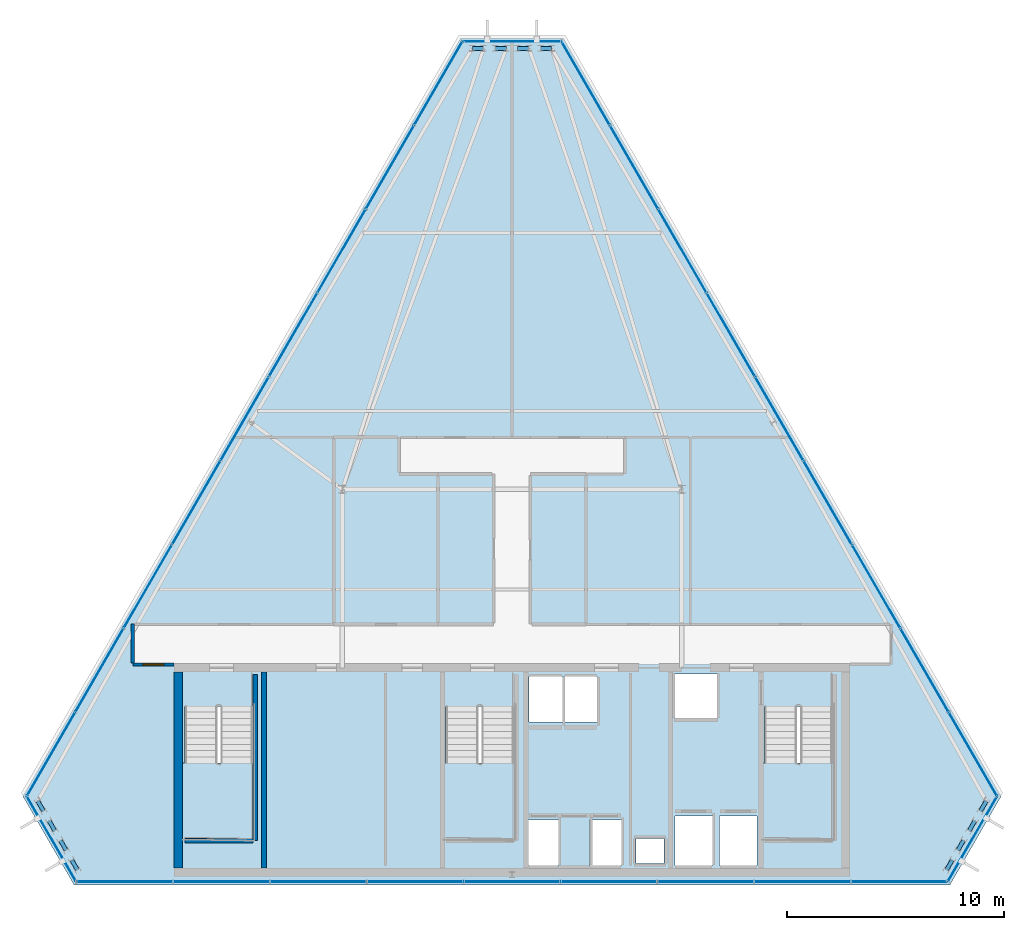
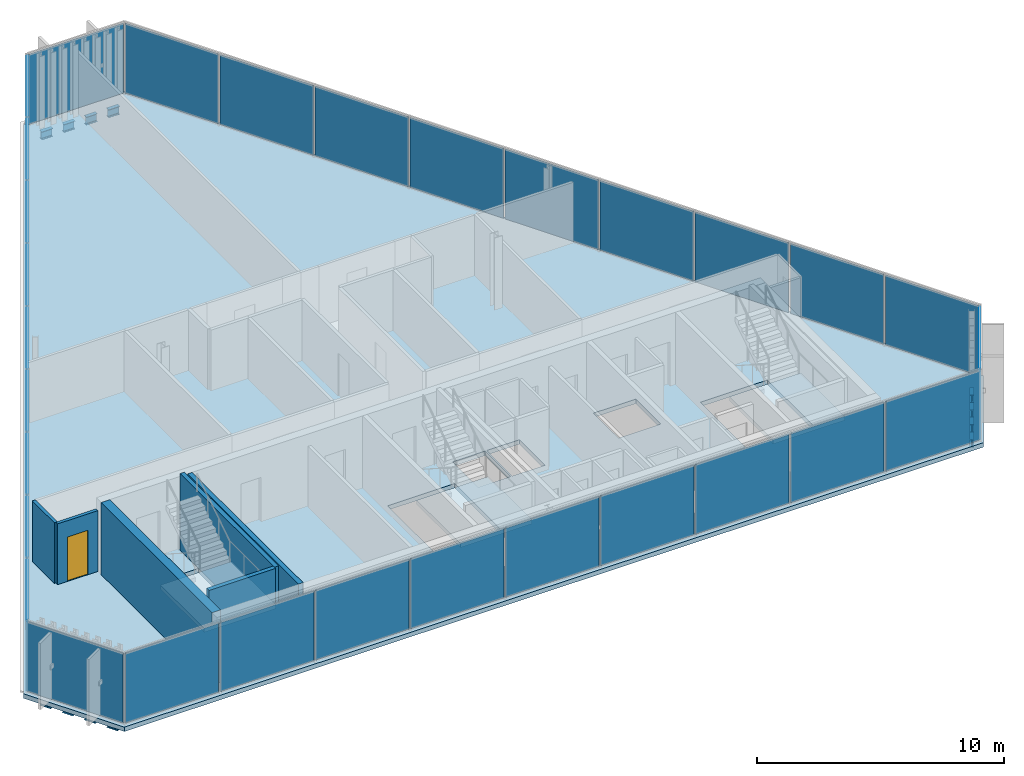
# One storey, part 26 of 32: 30 plates, 12 beams, 6 walls, 4 slabs, 1 door, 1 opening, 9 elements without a shape of their own.
"""IFC4 building model written with IfcOpenShell, lengths in metres."""

from ifc_helpers import new_model, si_unit, direction, frame, frame_2d, origin, origin_2d, place, context, subcontext, project, spatial, polyline, rectangle, i_section, outline, extrude, material, layer, layer_set, material_profile, profile_set, type_object, element, fill, aggregate, save


model = new_model("IFC4")

# Units and contexts
model_context = context("Model", 3, precision=1e-05, world=origin(), true_north=direction((0.0, 1.0)))
body_context = subcontext(model_context, "Body", "Model", "MODEL_VIEW")
ifc_project = project(units=[si_unit("LENGTHUNIT", "METRE"), si_unit("AREAUNIT", "SQUARE_METRE"), si_unit("VOLUMEUNIT", "CUBIC_METRE"), si_unit("PLANEANGLEUNIT", "RADIAN"), si_unit("MASSUNIT", "GRAM", prefix="KILO")], contexts=[model_context])

# Site, building, storey
site_placement = place(None, origin())
site = spatial("IfcSite", under=ifc_project, at=site_placement, CompositionType="ELEMENT")
building_placement = place(site_placement, origin())
building = spatial("IfcBuilding", under=site, at=building_placement, Name="Ndaravel Arena Tower", CompositionType="ELEMENT")
storey_placement = place(building_placement, frame((0.0, 0.0, 283.300048828125)))
storey = spatial("IfcBuildingStorey", under=building, at=storey_placement, Name="L69", CompositionType="ELEMENT", Elevation=283.300048828125)

# Beams
ifc_material_1 = material(Name="Steel S355", Category="steel")
ifc_material_profile = material_profile(ifc_material_1, i_section(OverallWidth=0.179931640625, OverallDepth=0.39990234375, WebThickness=0.008544921875, FlangeThickness=0.013427734375, FilletRadius=0.02099609375, at=origin_2d()), Name="IPE 400")
ifc_profile_set = profile_set([ifc_material_profile], Name="Steel S355")
beam_type = type_object("IfcBeamType", Name="BM-SPAN-IPE400", PredefinedType="SPANDREL", material=ifc_profile_set)
beam_1_placement = place(storey_placement, frame((61.98095703125, 5.7060546875, -0.420166015625), z_axis=(0.499762962979, 0.866162213927, 0.0), x_axis=(-0.866162213927, 0.499762962979, 0.0)))
element("IfcBeam", 1, at=beam_1_placement, inside=storey, type_object=beam_type, Name="L69 Perimeter Spandrel Beam SP-02", PredefinedType="SPANDREL", context=body_context, shape_type="SweptSolid", body=[
    extrude(i_section(OverallWidth=0.179931640625, OverallDepth=0.39990234375, WebThickness=0.008544921875, FlangeThickness=0.013427734375, FilletRadius=0.02099609375, at=origin_2d()), origin(), (0.0, 0.0, 1.0), 0.521728515625),
])
for number, where, z_axis, x_axis, name in (
    (2, (62.502685546875, 6.610107421875, -0.420166015625), (0.500113907867, 0.865959629058, 0.0), (-0.865959629058, 0.500113907867, 0.0), "L69 Perimeter Spandrel Beam SP-04"),
    (3, (63.024658203125, 7.513916015625, -0.420166015625), (0.500113907867, 0.865959629058, 0.0), (-0.865959629058, 0.500113907867, 0.0), "L69 Perimeter Spandrel Beam SP-06"),
    (4, (63.54638671875, 8.41796875, -0.420166015625), (0.500113907867, 0.865959629058, 0.0), (-0.865959629058, 0.500113907867, 0.0), "L69 Perimeter Spandrel Beam SP-08"),
    (5, (43.82666015625, 43.477783203125, -0.420166015625), (-1.0, 0.0, 0.0), (0.0, -1.0, 0.0), "L69 Perimeter Spandrel Beam SP-11"),
    (6, (42.782958984375, 43.477783203125, -0.420166015625), (-1.0, 0.0, 0.0), (0.0, -1.0, 0.0), "L69 Perimeter Spandrel Beam SP-13"),
    (7, (41.739013671875, 43.477783203125, -0.420166015625), (-1.0, 0.0, 0.0), (0.0, -1.0, 0.0), "L69 Perimeter Spandrel Beam SP-15"),
    (8, (40.6953125, 43.477783203125, -0.420166015625), (-1.0, 0.0, 0.0), (0.0, -1.0, 0.0), "L69 Perimeter Spandrel Beam SP-17"),
    (9, (20.192626953125, 8.869873046875, -0.420166015625), (0.500113907867, -0.865959629058, 0.0), (0.865959629058, 0.500113907867, 0.0), "L69 Perimeter Spandrel Beam SP-20"),
    (10, (20.71435546875, 7.9658203125, -0.420166015625), (0.500113907867, -0.865959629058, 0.0), (0.865959629058, 0.500113907867, 0.0), "L69 Perimeter Spandrel Beam SP-22"),
    (11, (21.236328125, 7.06201171875, -0.420166015625), (0.500113907867, -0.865959629058, 0.0), (0.865959629058, 0.500113907867, 0.0), "L69 Perimeter Spandrel Beam SP-24"),
):
    element("IfcBeam", number, at=place(storey_placement, frame(where, z_axis=z_axis, x_axis=x_axis)), inside=storey, type_object=beam_type, Name=name, PredefinedType="SPANDREL", context=body_context, shape_type="SweptSolid", body=[
        extrude(i_section(OverallWidth=0.179931640625, OverallDepth=0.39990234375, WebThickness=0.008544921875, FlangeThickness=0.013427734375, FilletRadius=0.02099609375, at=origin_2d()), origin(), (0.0, 0.0, 1.0), 0.52197265625),
    ])
beam_2_placement = place(storey_placement, frame((21.75830078125, 6.157958984375, -0.420166015625), z_axis=(0.499762962979, -0.866162213927, 0.0), x_axis=(0.866162213927, 0.499762962979, 0.0)))
element("IfcBeam", 12, at=beam_2_placement, inside=storey, type_object=beam_type, Name="L69 Perimeter Spandrel Beam SP-26", PredefinedType="SPANDREL", context=body_context, shape_type="SweptSolid", body=[
    extrude(i_section(OverallWidth=0.179931640625, OverallDepth=0.39990234375, WebThickness=0.008544921875, FlangeThickness=0.013427734375, FilletRadius=0.02099609375, at=origin_2d()), origin(), (0.0, 0.0, 1.0), 0.521728515625),
])

# Curtain wall, plate
ifc_material_2 = material(Name="Aluminium", Category="aluminium")
ifc_layer_1 = layer(ifc_material_2, 0.179931640625)
ifc_layer_set_1 = layer_set([ifc_layer_1], Name="Aluminium")
curtain_wall_type_1 = type_object("IfcCurtainWallType", Name="CW-SYS-01", PredefinedType="NOTDEFINED", material=ifc_layer_set_1)
curtain_wall_1_placement = place(storey_placement, origin())
curtain_wall_1 = element("IfcCurtainWall", 13, at=curtain_wall_1_placement, inside=storey, type_object=curtain_wall_type_1, Name="L69 Faceted Crystal Curtain Wall CW-L69-E02", PredefinedType="NOTDEFINED")
ifc_material_3 = material(Name="Glazing", Category="glass")
ifc_layer_2 = layer(ifc_material_3, 0.031982421875)
ifc_layer_set_2 = layer_set([ifc_layer_2], Name="Glazing")
plate_type_1 = type_object("IfcPlateType", Name="PLT-GLZ-FRIT35", PredefinedType="CURTAIN_PANEL", material=ifc_layer_set_2)
plate_1_placement = place(storey_placement, frame((63.17138671875, 7.1279296875, 0.06005859375), z_axis=(0.0, 0.0, 1.0), x_axis=(0.499984884929, 0.866034130299, 0.0)))
plate_1 = element("IfcPlate", 14, at=plate_1_placement, type_object=plate_type_1, Name="CW-L69-E02 Vision Glass Panel 01", PredefinedType="CURTAIN_PANEL", context=body_context, shape_type="SweptSolid", body=[
    extrude(rectangle(XDim=4.464599609375, YDim=0.035888671875, at=origin_2d()), origin(), (0.0, 0.0, 1.0), 3.4599609375),
])
aggregate(curtain_wall_1, [plate_1])

curtain_wall_2_placement = place(storey_placement, origin())
curtain_wall_2 = element("IfcCurtainWall", 15, at=curtain_wall_2_placement, inside=storey, type_object=curtain_wall_type_1, Name="L69 Faceted Crystal Curtain Wall CW-L69-E04", PredefinedType="NOTDEFINED")
plate_2_placement = place(storey_placement, frame((42.0, 43.797607421875, 0.06005859375), z_axis=(0.0, 0.0, 1.0), x_axis=(-1.0, 0.0, 0.0)))
plate_2 = element("IfcPlate", 16, at=plate_2_placement, type_object=plate_type_1, Name="CW-L69-E04 Vision Glass Panel 01", PredefinedType="CURTAIN_PANEL", context=body_context, shape_type="SweptSolid", body=[
    extrude(rectangle(XDim=4.46484375, YDim=0.035888671875, at=origin_2d()), origin(), (0.0, 0.0, 1.0), 3.4599609375),
])
aggregate(curtain_wall_2, [plate_2])

ifc_material_4 = material(Name="Aluminium", Category="aluminium")
ifc_layer_3 = layer(ifc_material_4, 0.179931640625)
ifc_layer_set_3 = layer_set([ifc_layer_3], Name="Aluminium")
curtain_wall_type_2 = type_object("IfcCurtainWallType", Name="CW-SYS-02", PredefinedType="NOTDEFINED", material=ifc_layer_set_3)
curtain_wall_3_placement = place(storey_placement, origin())
curtain_wall_3 = element("IfcCurtainWall", 17, at=curtain_wall_3_placement, inside=storey, type_object=curtain_wall_type_2, Name="L69 Faceted Crystal Curtain Wall CW-L69-E06", PredefinedType="NOTDEFINED")
ifc_material_5 = material(Name="Glazing", Category="glass")
ifc_layer_4 = layer(ifc_material_5, 0.035888671875)
ifc_layer_set_4 = layer_set([ifc_layer_4], Name="Glazing")
plate_type_2 = type_object("IfcPlateType", Name="PLT-GLZ-FRIT55", PredefinedType="CURTAIN_PANEL", material=ifc_layer_set_4)
plate_3_placement = place(storey_placement, frame((20.82861328125, 7.1279296875, 0.06005859375), z_axis=(0.0, 0.0, 1.0), x_axis=(0.499984884929, -0.866034130299, 0.0)))
plate_3 = element("IfcPlate", 18, at=plate_3_placement, type_object=plate_type_2, Name="CW-L69-E06 Vision Glass Panel 01", PredefinedType="CURTAIN_PANEL", context=body_context, shape_type="SweptSolid", body=[
    extrude(rectangle(XDim=4.464599609375, YDim=0.035888671875, at=origin_2d()), origin(), (0.0, 0.0, 1.0), 3.4599609375),
])
aggregate(curtain_wall_3, [plate_3])

# Curtain wall, plates
ifc_material_6 = material(Name="Aluminium", Category="aluminium")
ifc_layer_5 = layer(ifc_material_6, 0.179931640625)
ifc_layer_set_5 = layer_set([ifc_layer_5], Name="Aluminium")
curtain_wall_type_3 = type_object("IfcCurtainWallType", Name="CW-SYS-03", PredefinedType="NOTDEFINED", material=ifc_layer_set_5)
curtain_wall_4_placement = place(storey_placement, origin())
curtain_wall_4 = element("IfcCurtainWall", 19, at=curtain_wall_4_placement, inside=storey, type_object=curtain_wall_type_3, Name="L69 Faceted Crystal Curtain Wall CW-L69-E01", PredefinedType="NOTDEFINED")
ifc_material_7 = material(Name="Glazing", Category="glass")
ifc_layer_6 = layer(ifc_material_7, 0.0400390625)
ifc_layer_set_6 = layer_set([ifc_layer_6], Name="Glazing")
plate_type_3 = type_object("IfcPlateType", Name="PLT-GLZ-LOWIRON", PredefinedType="CURTAIN_PANEL", material=ifc_layer_set_6)
plate_4_placement = place(storey_placement, frame((24.19091796875, 5.159912109375, 0.06005859375), z_axis=(0.0, 0.0, 1.0), x_axis=(1.0, 0.0, 0.0)))
plate_4 = element("IfcPlate", 20, at=plate_4_placement, type_object=plate_type_3, Name="CW-L69-E01 Vision Glass Panel 01", PredefinedType="CURTAIN_PANEL", context=body_context, shape_type="SweptSolid", body=[
    extrude(rectangle(XDim=4.372314453125, YDim=0.035888671875, at=origin_2d()), origin(), (0.0, 0.0, 1.0), 3.4599609375),
])
plate_5_placement = place(storey_placement, frame((28.643310546875, 5.159912109375, 0.06005859375), z_axis=(0.0, 0.0, 1.0), x_axis=(1.0, 0.0, 0.0)))
plate_5 = element("IfcPlate", 21, at=plate_5_placement, type_object=plate_type_3, Name="CW-L69-E01 Vision Glass Panel 02", PredefinedType="CURTAIN_PANEL", context=body_context, shape_type="SweptSolid", body=[
    extrude(rectangle(XDim=4.372314453125, YDim=0.035888671875, at=origin_2d()), origin(), (0.0, 0.0, 1.0), 3.4599609375),
])
plate_6_placement = place(storey_placement, frame((33.095458984375, 5.159912109375, 0.06005859375), z_axis=(0.0, 0.0, 1.0), x_axis=(1.0, 0.0, 0.0)))
plate_6 = element("IfcPlate", 22, at=plate_6_placement, type_object=plate_type_3, Name="CW-L69-E01 Vision Glass Panel 03", PredefinedType="CURTAIN_PANEL", context=body_context, shape_type="SweptSolid", body=[
    extrude(rectangle(XDim=4.372314453125, YDim=0.035888671875, at=origin_2d()), origin(), (0.0, 0.0, 1.0), 3.4599609375),
])
plate_7_placement = place(storey_placement, frame((37.5478515625, 5.159912109375, 0.06005859375), z_axis=(0.0, 0.0, 1.0), x_axis=(1.0, 0.0, 0.0)))
plate_7 = element("IfcPlate", 23, at=plate_7_placement, type_object=plate_type_3, Name="CW-L69-E01 Vision Glass Panel 04", PredefinedType="CURTAIN_PANEL", context=body_context, shape_type="SweptSolid", body=[
    extrude(rectangle(XDim=4.372314453125, YDim=0.035888671875, at=origin_2d()), origin(), (0.0, 0.0, 1.0), 3.4599609375),
])
plate_8_placement = place(storey_placement, frame((42.0, 5.159912109375, 0.06005859375), z_axis=(0.0, 0.0, 1.0), x_axis=(1.0, 0.0, 0.0)))
plate_8 = element("IfcPlate", 24, at=plate_8_placement, type_object=plate_type_3, Name="CW-L69-E01 Vision Glass Panel 05", PredefinedType="CURTAIN_PANEL", context=body_context, shape_type="SweptSolid", body=[
    extrude(rectangle(XDim=4.372314453125, YDim=0.035888671875, at=origin_2d()), origin(), (0.0, 0.0, 1.0), 3.4599609375),
])
plate_9_placement = place(storey_placement, frame((46.4521484375, 5.159912109375, 0.06005859375), z_axis=(0.0, 0.0, 1.0), x_axis=(1.0, 0.0, 0.0)))
plate_9 = element("IfcPlate", 25, at=plate_9_placement, type_object=plate_type_3, Name="CW-L69-E01 Vision Glass Panel 06", PredefinedType="CURTAIN_PANEL", context=body_context, shape_type="SweptSolid", body=[
    extrude(rectangle(XDim=4.372314453125, YDim=0.035888671875, at=origin_2d()), origin(), (0.0, 0.0, 1.0), 3.4599609375),
])
plate_10_placement = place(storey_placement, frame((50.904541015625, 5.159912109375, 0.06005859375), z_axis=(0.0, 0.0, 1.0), x_axis=(1.0, 0.0, 0.0)))
plate_10 = element("IfcPlate", 26, at=plate_10_placement, type_object=plate_type_3, Name="CW-L69-E01 Vision Glass Panel 07", PredefinedType="CURTAIN_PANEL", context=body_context, shape_type="SweptSolid", body=[
    extrude(rectangle(XDim=4.372314453125, YDim=0.035888671875, at=origin_2d()), origin(), (0.0, 0.0, 1.0), 3.4599609375),
])
plate_11_placement = place(storey_placement, frame((55.356689453125, 5.159912109375, 0.06005859375), z_axis=(0.0, 0.0, 1.0), x_axis=(1.0, 0.0, 0.0)))
plate_11 = element("IfcPlate", 27, at=plate_11_placement, type_object=plate_type_3, Name="CW-L69-E01 Vision Glass Panel 08", PredefinedType="CURTAIN_PANEL", context=body_context, shape_type="SweptSolid", body=[
    extrude(rectangle(XDim=4.372314453125, YDim=0.035888671875, at=origin_2d()), origin(), (0.0, 0.0, 1.0), 3.4599609375),
])
plate_12_placement = place(storey_placement, frame((59.80908203125, 5.159912109375, 0.06005859375), z_axis=(0.0, 0.0, 1.0), x_axis=(1.0, 0.0, 0.0)))
plate_12 = element("IfcPlate", 28, at=plate_12_placement, type_object=plate_type_3, Name="CW-L69-E01 Vision Glass Panel 09", PredefinedType="CURTAIN_PANEL", context=body_context, shape_type="SweptSolid", body=[
    extrude(rectangle(XDim=4.372314453125, YDim=0.035888671875, at=origin_2d()), origin(), (0.0, 0.0, 1.0), 3.4599609375),
])
aggregate(curtain_wall_4, [plate_4, plate_5, plate_6, plate_7, plate_8, plate_9, plate_10, plate_11, plate_12])

curtain_wall_5_placement = place(storey_placement, origin())
curtain_wall_5 = element("IfcCurtainWall", 29, at=curtain_wall_5_placement, inside=storey, type_object=curtain_wall_type_3, Name="L69 Faceted Crystal Curtain Wall CW-L69-E03", PredefinedType="NOTDEFINED")
plate_13_placement = place(storey_placement, frame((63.1943359375, 11.023681640625, 0.06005859375), z_axis=(0.0, 0.0, 1.0), x_axis=(-0.5, 0.866025403784, 0.0)))
plate_13 = element("IfcPlate", 30, at=plate_13_placement, type_object=plate_type_3, Name="CW-L69-E03 Vision Glass Panel 01", PredefinedType="CURTAIN_PANEL", context=body_context, shape_type="SweptSolid", body=[
    extrude(rectangle(XDim=4.372314453125, YDim=0.035888671875, at=origin_2d()), origin(), (0.0, 0.0, 1.0), 3.4599609375),
])
plate_14_placement = place(storey_placement, frame((60.96826171875, 14.87939453125, 0.06005859375), z_axis=(0.0, 0.0, 1.0), x_axis=(-0.5, 0.866025403784, 0.0)))
plate_14 = element("IfcPlate", 31, at=plate_14_placement, type_object=plate_type_3, Name="CW-L69-E03 Vision Glass Panel 02", PredefinedType="CURTAIN_PANEL", context=body_context, shape_type="SweptSolid", body=[
    extrude(rectangle(XDim=4.372314453125, YDim=0.035888671875, at=origin_2d()), origin(), (0.0, 0.0, 1.0), 3.4599609375),
])
plate_15_placement = place(storey_placement, frame((58.7421875, 18.7353515625, 0.06005859375), z_axis=(0.0, 0.0, 1.0), x_axis=(-0.5, 0.866025403784, 0.0)))
plate_15 = element("IfcPlate", 32, at=plate_15_placement, type_object=plate_type_3, Name="CW-L69-E03 Vision Glass Panel 03", PredefinedType="CURTAIN_PANEL", context=body_context, shape_type="SweptSolid", body=[
    extrude(rectangle(XDim=4.372314453125, YDim=0.035888671875, at=origin_2d()), origin(), (0.0, 0.0, 1.0), 3.4599609375),
])
plate_16_placement = place(storey_placement, frame((56.51611328125, 22.591064453125, 0.06005859375), z_axis=(0.0, 0.0, 1.0), x_axis=(-0.5, 0.866025403784, 0.0)))
plate_16 = element("IfcPlate", 33, at=plate_16_placement, type_object=plate_type_3, Name="CW-L69-E03 Vision Glass Panel 04", PredefinedType="CURTAIN_PANEL", context=body_context, shape_type="SweptSolid", body=[
    extrude(rectangle(XDim=4.372314453125, YDim=0.035888671875, at=origin_2d()), origin(), (0.0, 0.0, 1.0), 3.4599609375),
])
plate_17_placement = place(storey_placement, frame((54.289794921875, 26.44677734375, 0.06005859375), z_axis=(0.0, 0.0, 1.0), x_axis=(-0.5, 0.866025403784, 0.0)))
plate_17 = element("IfcPlate", 34, at=plate_17_placement, type_object=plate_type_3, Name="CW-L69-E03 Vision Glass Panel 05", PredefinedType="CURTAIN_PANEL", context=body_context, shape_type="SweptSolid", body=[
    extrude(rectangle(XDim=4.372314453125, YDim=0.035888671875, at=origin_2d()), origin(), (0.0, 0.0, 1.0), 3.4599609375),
])
plate_18_placement = place(storey_placement, frame((52.063720703125, 30.302490234375, 0.06005859375), z_axis=(0.0, 0.0, 1.0), x_axis=(-0.5, 0.866025403784, 0.0)))
plate_18 = element("IfcPlate", 35, at=plate_18_placement, type_object=plate_type_3, Name="CW-L69-E03 Vision Glass Panel 06", PredefinedType="CURTAIN_PANEL", context=body_context, shape_type="SweptSolid", body=[
    extrude(rectangle(XDim=4.372314453125, YDim=0.035888671875, at=origin_2d()), origin(), (0.0, 0.0, 1.0), 3.4599609375),
])
plate_19_placement = place(storey_placement, frame((49.837646484375, 34.158203125, 0.06005859375), z_axis=(0.0, 0.0, 1.0), x_axis=(-0.5, 0.866025403784, 0.0)))
plate_19 = element("IfcPlate", 36, at=plate_19_placement, type_object=plate_type_3, Name="CW-L69-E03 Vision Glass Panel 07", PredefinedType="CURTAIN_PANEL", context=body_context, shape_type="SweptSolid", body=[
    extrude(rectangle(XDim=4.372314453125, YDim=0.035888671875, at=origin_2d()), origin(), (0.0, 0.0, 1.0), 3.4599609375),
])
plate_20_placement = place(storey_placement, frame((47.611572265625, 38.01416015625, 0.06005859375), z_axis=(0.0, 0.0, 1.0), x_axis=(-0.5, 0.866025403784, 0.0)))
plate_20 = element("IfcPlate", 37, at=plate_20_placement, type_object=plate_type_3, Name="CW-L69-E03 Vision Glass Panel 08", PredefinedType="CURTAIN_PANEL", context=body_context, shape_type="SweptSolid", body=[
    extrude(rectangle(XDim=4.372314453125, YDim=0.035888671875, at=origin_2d()), origin(), (0.0, 0.0, 1.0), 3.4599609375),
])
plate_21_placement = place(storey_placement, frame((45.385498046875, 41.869873046875, 0.06005859375), z_axis=(0.0, 0.0, 1.0), x_axis=(-0.5, 0.866025403784, 0.0)))
plate_21 = element("IfcPlate", 38, at=plate_21_placement, type_object=plate_type_3, Name="CW-L69-E03 Vision Glass Panel 09", PredefinedType="CURTAIN_PANEL", context=body_context, shape_type="SweptSolid", body=[
    extrude(rectangle(XDim=4.372314453125, YDim=0.035888671875, at=origin_2d()), origin(), (0.0, 0.0, 1.0), 3.4599609375),
])
aggregate(curtain_wall_5, [plate_13, plate_14, plate_15, plate_16, plate_17, plate_18, plate_19, plate_20, plate_21])

curtain_wall_6_placement = place(storey_placement, origin())
curtain_wall_6 = element("IfcCurtainWall", 39, at=curtain_wall_6_placement, inside=storey, type_object=curtain_wall_type_3, Name="L69 Faceted Crystal Curtain Wall CW-L69-E05", PredefinedType="NOTDEFINED")
plate_22_placement = place(storey_placement, frame((38.614501953125, 41.869873046875, 0.06005859375), z_axis=(0.0, 0.0, 1.0), x_axis=(-0.5, -0.866025403784, 0.0)))
plate_22 = element("IfcPlate", 40, at=plate_22_placement, type_object=plate_type_3, Name="CW-L69-E05 Vision Glass Panel 01", PredefinedType="CURTAIN_PANEL", context=body_context, shape_type="SweptSolid", body=[
    extrude(rectangle(XDim=4.372314453125, YDim=0.035888671875, at=origin_2d()), origin(), (0.0, 0.0, 1.0), 3.4599609375),
])
plate_23_placement = place(storey_placement, frame((36.388427734375, 38.01416015625, 0.06005859375), z_axis=(0.0, 0.0, 1.0), x_axis=(-0.5, -0.866025403784, 0.0)))
plate_23 = element("IfcPlate", 41, at=plate_23_placement, type_object=plate_type_3, Name="CW-L69-E05 Vision Glass Panel 02", PredefinedType="CURTAIN_PANEL", context=body_context, shape_type="SweptSolid", body=[
    extrude(rectangle(XDim=4.372314453125, YDim=0.035888671875, at=origin_2d()), origin(), (0.0, 0.0, 1.0), 3.4599609375),
])
plate_24_placement = place(storey_placement, frame((34.162353515625, 34.158203125, 0.06005859375), z_axis=(0.0, 0.0, 1.0), x_axis=(-0.5, -0.866025403784, 0.0)))
plate_24 = element("IfcPlate", 42, at=plate_24_placement, type_object=plate_type_3, Name="CW-L69-E05 Vision Glass Panel 03", PredefinedType="CURTAIN_PANEL", context=body_context, shape_type="SweptSolid", body=[
    extrude(rectangle(XDim=4.372314453125, YDim=0.035888671875, at=origin_2d()), origin(), (0.0, 0.0, 1.0), 3.4599609375),
])
plate_25_placement = place(storey_placement, frame((31.936279296875, 30.302490234375, 0.06005859375), z_axis=(0.0, 0.0, 1.0), x_axis=(-0.5, -0.866025403784, 0.0)))
plate_25 = element("IfcPlate", 43, at=plate_25_placement, type_object=plate_type_3, Name="CW-L69-E05 Vision Glass Panel 04", PredefinedType="CURTAIN_PANEL", context=body_context, shape_type="SweptSolid", body=[
    extrude(rectangle(XDim=4.372314453125, YDim=0.035888671875, at=origin_2d()), origin(), (0.0, 0.0, 1.0), 3.4599609375),
])
plate_26_placement = place(storey_placement, frame((29.710205078125, 26.44677734375, 0.06005859375), z_axis=(0.0, 0.0, 1.0), x_axis=(-0.5, -0.866025403784, 0.0)))
plate_26 = element("IfcPlate", 44, at=plate_26_placement, type_object=plate_type_3, Name="CW-L69-E05 Vision Glass Panel 05", PredefinedType="CURTAIN_PANEL", context=body_context, shape_type="SweptSolid", body=[
    extrude(rectangle(XDim=4.372314453125, YDim=0.035888671875, at=origin_2d()), origin(), (0.0, 0.0, 1.0), 3.4599609375),
])
plate_27_placement = place(storey_placement, frame((27.48388671875, 22.591064453125, 0.06005859375), z_axis=(0.0, 0.0, 1.0), x_axis=(-0.5, -0.866025403784, 0.0)))
plate_27 = element("IfcPlate", 45, at=plate_27_placement, type_object=plate_type_3, Name="CW-L69-E05 Vision Glass Panel 06", PredefinedType="CURTAIN_PANEL", context=body_context, shape_type="SweptSolid", body=[
    extrude(rectangle(XDim=4.372314453125, YDim=0.035888671875, at=origin_2d()), origin(), (0.0, 0.0, 1.0), 3.4599609375),
])
plate_28_placement = place(storey_placement, frame((25.2578125, 18.7353515625, 0.06005859375), z_axis=(0.0, 0.0, 1.0), x_axis=(-0.5, -0.866025403784, 0.0)))
plate_28 = element("IfcPlate", 46, at=plate_28_placement, type_object=plate_type_3, Name="CW-L69-E05 Vision Glass Panel 07", PredefinedType="CURTAIN_PANEL", context=body_context, shape_type="SweptSolid", body=[
    extrude(rectangle(XDim=4.372314453125, YDim=0.035888671875, at=origin_2d()), origin(), (0.0, 0.0, 1.0), 3.4599609375),
])
plate_29_placement = place(storey_placement, frame((23.03173828125, 14.87939453125, 0.06005859375), z_axis=(0.0, 0.0, 1.0), x_axis=(-0.5, -0.866025403784, 0.0)))
plate_29 = element("IfcPlate", 47, at=plate_29_placement, type_object=plate_type_3, Name="CW-L69-E05 Vision Glass Panel 08", PredefinedType="CURTAIN_PANEL", context=body_context, shape_type="SweptSolid", body=[
    extrude(rectangle(XDim=4.372314453125, YDim=0.035888671875, at=origin_2d()), origin(), (0.0, 0.0, 1.0), 3.4599609375),
])
plate_30_placement = place(storey_placement, frame((20.8056640625, 11.023681640625, 0.06005859375), z_axis=(0.0, 0.0, 1.0), x_axis=(-0.5, -0.866025403784, 0.0)))
plate_30 = element("IfcPlate", 48, at=plate_30_placement, type_object=plate_type_3, Name="CW-L69-E05 Vision Glass Panel 09", PredefinedType="CURTAIN_PANEL", context=body_context, shape_type="SweptSolid", body=[
    extrude(rectangle(XDim=4.372314453125, YDim=0.035888671875, at=origin_2d()), origin(), (0.0, 0.0, 1.0), 3.4599609375),
])
aggregate(curtain_wall_6, [plate_22, plate_23, plate_24, plate_25, plate_26, plate_27, plate_28, plate_29, plate_30])

# Stair, slab
ifc_material_8 = material(Name="Concrete C40/50", Category="concrete")
stair_type = type_object("IfcStairType", Name="STAIR-CORE-HT", PredefinedType="HALF_TURN_STAIR", material=ifc_material_8)
stair_1_placement = place(storey_placement, origin())
stair_1 = element("IfcStair", 49, at=stair_1_placement, inside=storey, type_object=stair_type, Name="L69 ST-1", PredefinedType="HALF_TURN_STAIR")
ifc_material_9 = material(Name="Concrete C40/50", Category="concrete")
ifc_layer_7 = layer(ifc_material_9, 0.199951171875)
ifc_layer_set_7 = layer_set([ifc_layer_7], Name="Concrete C40/50")
slab_type_1 = type_object("IfcSlabType", Name="SLAB-STAIR-LANDING", PredefinedType="LANDING", material=ifc_layer_set_7)
slab_1_placement = place(storey_placement, frame((0.0, 0.0, 1.699951171875)))
slab_1 = element("IfcSlab", 50, at=slab_1_placement, type_object=slab_type_1, Name="ST-1 landing 1", PredefinedType="LANDING", context=body_context, shape_type="SweptSolid", body=[
    extrude(outline(polyline([(26.81005859375, 10.6298828125), (26.81005859375, 7.070068359375), (30.169921875, 7.070068359375), (30.169921875, 10.6298828125), (26.81005859375, 10.6298828125)])), origin(), (0.0, 0.0, 1.0), 0.199951171875),
])
aggregate(stair_1, [slab_1])

stair_2_placement = place(storey_placement, origin())
stair_2 = element("IfcStair", 51, at=stair_2_placement, inside=storey, type_object=stair_type, Name="L69 ST-2", PredefinedType="HALF_TURN_STAIR")
slab_2_placement = place(storey_placement, frame((0.0, 0.0, 1.699951171875)))
slab_2 = element("IfcSlab", 52, at=slab_2_placement, type_object=slab_type_1, Name="ST-2 landing 1", PredefinedType="LANDING", context=body_context, shape_type="SweptSolid", body=[
    extrude(outline(polyline([(38.81005859375, 10.6298828125), (38.81005859375, 7.070068359375), (42.169921875, 7.070068359375), (42.169921875, 10.6298828125), (38.81005859375, 10.6298828125)])), origin(), (0.0, 0.0, 1.0), 0.199951171875),
])
aggregate(stair_2, [slab_2])

stair_3_placement = place(storey_placement, origin())
stair_3 = element("IfcStair", 53, at=stair_3_placement, inside=storey, type_object=stair_type, Name="L69 ST-3", PredefinedType="HALF_TURN_STAIR")
slab_3_placement = place(storey_placement, frame((0.0, 0.0, 1.699951171875)))
slab_3 = element("IfcSlab", 54, at=slab_3_placement, type_object=slab_type_1, Name="ST-3 landing 1", PredefinedType="LANDING", context=body_context, shape_type="SweptSolid", body=[
    extrude(outline(polyline([(53.4599609375, 10.6298828125), (53.4599609375, 7.070068359375), (56.820068359375, 7.070068359375), (56.820068359375, 10.6298828125), (53.4599609375, 10.6298828125)])), origin(), (0.0, 0.0, 1.0), 0.199951171875),
])
aggregate(stair_3, [slab_3])

# Slab
ifc_material_10 = material(Name="Concrete C40/50", Category="concrete")
ifc_layer_8 = layer(ifc_material_10, 0.219970703125)
ifc_layer_set_8 = layer_set([ifc_layer_8], Name="Concrete C40/50")
slab_type_2 = type_object("IfcSlabType", Name="SLAB-TWR-220", PredefinedType="FLOOR", material=ifc_layer_set_8)
slab_4_placement = place(storey_placement, frame((0.0, 0.0, -0.219970703125)))
element("IfcSlab", 55, at=slab_4_placement, inside=storey, type_object=slab_type_2, Name="L69 Structural Floor Slab", PredefinedType="FLOOR", context=body_context, shape_type="SweptSolid", body=[
    extrude(outline(polyline([(19.5078125, 9.095947265625), (21.87255859375, 5.0), (62.12744140625, 5.0), (64.4921875, 9.095947265625), (44.36474609375, 43.957763671875), (39.63525390625, 43.957763671875), (19.5078125, 9.095947265625)]), holes=[polyline([(26.949951171875, 13.215087890625), (26.949951171875, 7.14990234375), (30.090087890625, 7.14990234375), (30.090087890625, 13.215087890625), (26.949951171875, 13.215087890625)]), polyline([(38.949951171875, 13.215087890625), (38.949951171875, 7.14990234375), (42.090087890625, 7.14990234375), (42.090087890625, 13.215087890625), (38.949951171875, 13.215087890625)]), polyline([(53.60009765625, 13.215087890625), (53.60009765625, 7.14990234375), (56.739990234375, 7.14990234375), (56.739990234375, 13.215087890625), (53.60009765625, 13.215087890625)]), polyline([(42.659912109375, 5.909912109375), (44.139892578125, 5.909912109375), (44.139892578125, 7.989990234375), (42.659912109375, 7.989990234375), (42.659912109375, 5.909912109375)]), polyline([(45.56005859375, 5.909912109375), (47.0400390625, 5.909912109375), (47.0400390625, 7.989990234375), (45.56005859375, 7.989990234375), (45.56005859375, 5.909912109375)]), polyline([(42.784912109375, 12.510009765625), (44.31494140625, 12.510009765625), (44.31494140625, 14.590087890625), (42.784912109375, 14.590087890625), (42.784912109375, 12.510009765625)]), polyline([(44.385009765625, 12.510009765625), (45.9150390625, 12.510009765625), (45.9150390625, 14.590087890625), (44.385009765625, 14.590087890625), (44.385009765625, 12.510009765625)]), polyline([(49.485107421875, 5.909912109375), (51.215087890625, 5.909912109375), (51.215087890625, 8.18994140625), (49.485107421875, 8.18994140625), (49.485107421875, 5.909912109375)]), polyline([(51.534912109375, 5.909912109375), (53.264892578125, 5.909912109375), (53.264892578125, 8.18994140625), (51.534912109375, 8.18994140625), (51.534912109375, 5.909912109375)]), polyline([(49.4599609375, 12.68505859375), (51.43994140625, 12.68505859375), (51.43994140625, 14.715087890625), (49.4599609375, 14.715087890625), (49.4599609375, 12.68505859375)]), polyline([(47.699951171875, 6.0), (49.0, 6.0), (49.0, 7.139892578125), (47.699951171875, 7.139892578125), (47.699951171875, 6.0)])]), origin(), (0.0, 0.0, 1.0), 0.219970703125),
])

# Walls
ifc_material_11 = material(Name="Concrete C50/60", Category="concrete")
ifc_layer_9 = layer(ifc_material_11, 0.219970703125)
ifc_layer_set_9 = layer_set([ifc_layer_9], Name="Concrete C50/60")
wall_type_1 = type_object("IfcWallType", Name="WALL-CORE-220", PredefinedType="SOLIDWALL", material=ifc_layer_set_9)
wall_1_placement = place(storey_placement, frame((30.60009765625, 5.800048828125, 0.0), z_axis=(0.0, 0.0, 1.0), x_axis=(0.0, 1.0, 0.0)))
element("IfcWall", 56, at=wall_1_placement, inside=storey, type_object=wall_type_1, Name="L69 Core Web Shear Wall 1", PredefinedType="SOLIDWALL", context=body_context, shape_type="SweptSolid", body=[
    extrude(rectangle(XDim=9.0, YDim=0.219970703125, at=frame_2d((4.5, 0.0))), origin(), (0.0, 0.0, 1.0), 3.579833984375),
])
ifc_material_12 = material(Name="Concrete C50/60", Category="concrete")
ifc_layer_10 = layer(ifc_material_12, 0.39990234375)
ifc_layer_set_10 = layer_set([ifc_layer_10], Name="Concrete C50/60")
wall_type_2 = type_object("IfcWallType", Name="WALL-CORE-400", PredefinedType="SOLIDWALL", material=ifc_layer_set_10)
wall_2_placement = place(storey_placement, frame((26.64990234375, 5.800048828125, 0.0), z_axis=(0.0, 0.0, 1.0), x_axis=(0.0, 1.0, 0.0)))
element("IfcWall", 57, at=wall_2_placement, inside=storey, type_object=wall_type_2, Name="L69 Core West Shear Wall", PredefinedType="SOLIDWALL", context=body_context, shape_type="SweptSolid", body=[
    extrude(rectangle(XDim=9.0, YDim=0.39990234375, at=frame_2d((4.5, 0.0))), origin(), (0.0, 0.0, 1.0), 3.579833984375),
])
ifc_material_13 = material(Name="Concrete C40/50", Category="concrete")
ifc_layer_11 = layer(ifc_material_13, 0.199951171875)
ifc_layer_set_11 = layer_set([ifc_layer_11], Name="Concrete C40/50")
wall_type_3 = type_object("IfcWallType", Name="WALL-SHAFT-200", PredefinedType="SOLIDWALL", material=ifc_layer_set_11)
wall_3_placement = place(storey_placement, frame((30.18994140625, 14.699951171875, 0.0), z_axis=(0.0, 0.0, 1.0), x_axis=(0.0, -1.0, 0.0)))
element("IfcWall", 58, at=wall_3_placement, inside=storey, type_object=wall_type_3, Name="L69 ST-1 Structural Shaft Wall Right", PredefinedType="SOLIDWALL", context=body_context, shape_type="SweptSolid", body=[
    extrude(rectangle(XDim=7.64990234375, YDim=0.199951171875, at=frame_2d((3.824951171875, 0.0))), origin(), (0.0, 0.0, 1.0), 3.800048828125),
])
wall_4_placement = place(storey_placement, frame((26.969970703125, 7.050048828125, 0.0), z_axis=(0.0, 0.0, 1.0), x_axis=(1.0, 0.0, 0.0)))
element("IfcWall", 59, at=wall_4_placement, inside=storey, type_object=wall_type_3, Name="L69 ST-1 Structural Shaft Wall Far", PredefinedType="SOLIDWALL", context=body_context, shape_type="SweptSolid", body=[
    extrude(rectangle(XDim=3.114990234375, YDim=0.199951171875, at=frame_2d((1.5576171875, 0.0))), origin(), (0.0, 0.0, 1.0), 3.800048828125),
])

# Wall, opening, door
ifc_material_14 = material(Name="Masonry", Category="masonry")
ifc_layer_12 = layer(ifc_material_14, 0.14990234375)
ifc_layer_set_12 = layer_set([ifc_layer_12], Name="Masonry")
wall_type_4 = type_object("IfcWallType", Name="WALL-WET-150", PredefinedType="PARTITIONING", material=ifc_layer_set_12)
wall_5_placement = place(storey_placement, frame((26.449951171875, 15.14990234375, 0.0), z_axis=(0.0, 0.0, 1.0), x_axis=(-1.0, 0.0, 0.0)))
wall_5 = element("IfcWall", 60, at=wall_5_placement, inside=storey, type_object=wall_type_4, Name="L69 Interior Partition 003", PredefinedType="PARTITIONING", context=body_context, shape_type="SweptSolid", body=[
    extrude(rectangle(XDim=1.884033203125, YDim=0.14990234375, at=frame_2d((0.94189453125, 0.0))), origin(), (0.0, 0.0, 1.0), 3.010498046875),
])
opening_placement = place(wall_5_placement, frame((0.467041015625, 0.0, 0.0)))
opening = element("IfcOpeningElement", 61, at=opening_placement, cuts=wall_5, Name="Opening FD-03", PredefinedType="OPENING", context=body_context, shape_type="SweptSolid", body=[
    extrude(rectangle(XDim=0.949951171875, YDim=2.199951171875, at=frame_2d((0.47509765625, 1.10009765625))), frame((0.0, 0.074951171875, 0.0), z_axis=(0.0, -1.0, 0.0), x_axis=(1.0, 0.0, 0.0)), (0.0, 0.0, 1.0), 0.14990234375),
])
ifc_material_15 = material(Name="Steel S355", Category="steel")
door_type = type_object("IfcDoorType", Name="DT-11-CORE-950", OperationType="SINGLE_SWING_LEFT", PredefinedType="DOOR", material=ifc_material_15)
door_placement = place(opening_placement, origin())
door = element("IfcDoor", 62, at=door_placement, inside=storey, type_object=door_type, Name="L69 Staff Espresso Kitchen Door", OperationType="SINGLE_SWING_RIGHT", OverallHeight=2.199951171875, OverallWidth=0.949951171875, PredefinedType="DOOR", context=body_context, shape_type="SweptSolid", body=[
    extrude(rectangle(XDim=0.949951171875, YDim=2.199951171875, at=frame_2d((0.47509765625, 1.10009765625))), frame((0.0, 0.02490234375, 0.0), z_axis=(0.0, -1.0, 0.0), x_axis=(1.0, 0.0, 0.0)), (0.0, 0.0, 1.0), 0.050048828125),
])
fill(opening, door)

# Wall
wall_6_placement = place(storey_placement, frame((24.56591796875, 15.215087890625, 0.0), z_axis=(0.0, 0.0, 1.0), x_axis=(0.0, 1.0, 0.0)))
element("IfcWall", 63, at=wall_6_placement, inside=storey, type_object=wall_type_4, Name="L69 Interior Partition 004", PredefinedType="PARTITIONING", context=body_context, shape_type="SweptSolid", body=[
    extrude(rectangle(XDim=1.784912109375, YDim=0.14990234375, at=frame_2d((0.892578125, 0.0))), origin(), (0.0, 0.0, 1.0), 3.010498046875),
])

save(model, "model.ifc")
